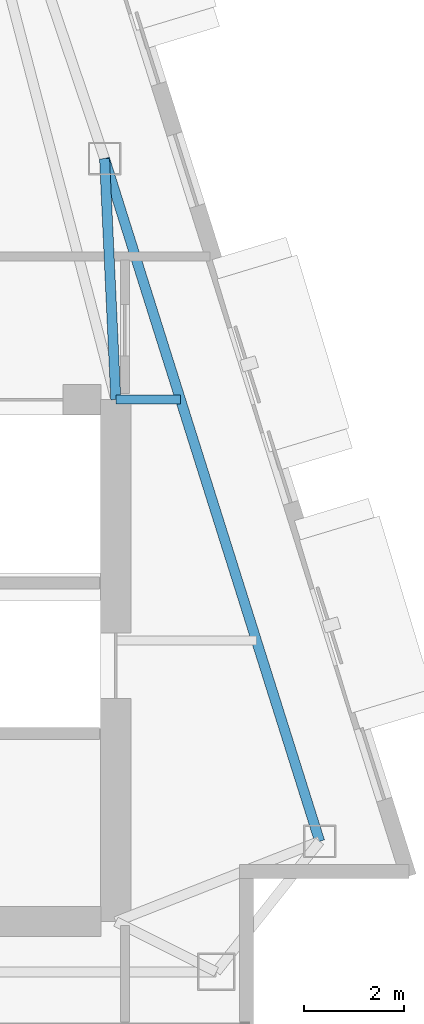
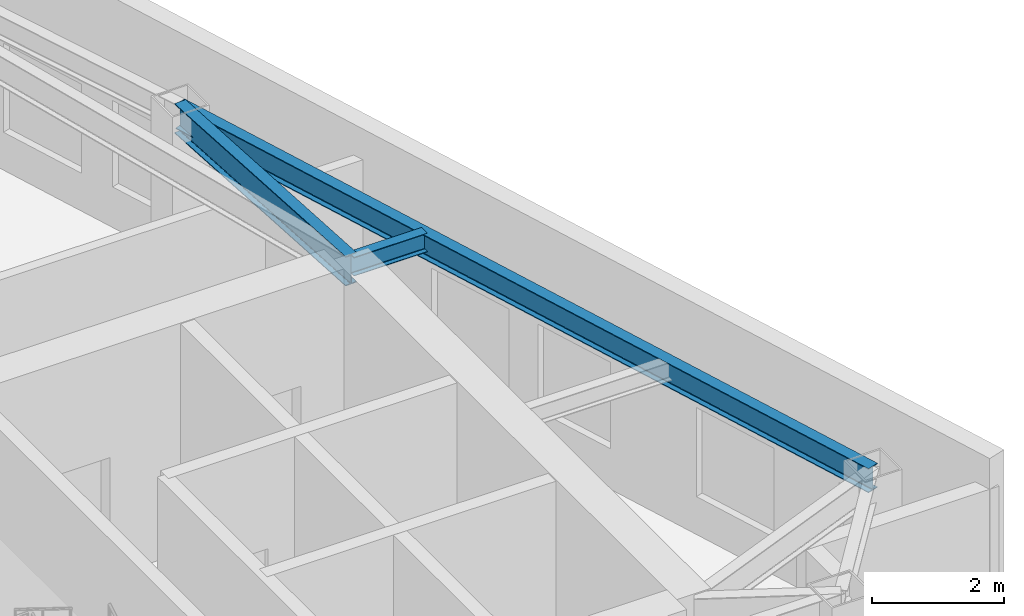
# One storey, part 13 of 25: 3 beams.
"""IFC4 building model written with IfcOpenShell, lengths in metres."""

import ifcopenshell
import ifcopenshell.guid

model = None  # the IFC model being written
_history = None  # IfcOwnerHistory: only IFC2X3 demands one
_inside = {}  # id of a spatial element -> (the spatial element, [elements in it])
_under = {}  # id of a project, library or spatial element -> (it, [spatial elements below it])
_declared = {}  # id of a project -> (the project, [libraries it declares])
_typed = {}  # id of a type object -> (the type object, [elements of that type])
_made_of = {}  # id of a material, layer set ... -> (it, [elements and type objects made of it])


def new_model(schema):
    """Start an empty IFC model of exactly this schema.

    Asked for "IFC4X3", IfcOpenShell would pick the latest addendum, in which some entities
    have other attributes; the version numbers below select the first issue.
    IFC2X3 requires an IfcOwnerHistory on every rooted entity: one is made here for all.
    """
    global model, _history
    if schema == "IFC4X3":
        model = ifcopenshell.file(schema_version=(4, 3, 0, 0))
    else:
        model = ifcopenshell.file(schema=schema)
    _inside.clear()
    _under.clear()
    _declared.clear()
    _typed.clear()
    _made_of.clear()
    _history = None
    if model.schema == "IFC2X3":
        org = make("IfcOrganization", Name="unknown")
        user = make(
            "IfcPersonAndOrganization",
            ThePerson=make("IfcPerson", FamilyName="unknown"),
            TheOrganization=org,
        )
        app = make(
            "IfcApplication",
            ApplicationDeveloper=org,
            Version="unknown",
            ApplicationFullName="unknown",
            ApplicationIdentifier="unknown",
        )
        _history = make(
            "IfcOwnerHistory",
            OwningUser=user,
            OwningApplication=app,
            ChangeAction="ADDED",
            CreationDate=0,
        )
    return model


def make(cls, **values):
    """One entity of the class cls with the attributes given. An attribute that is None is left unset."""
    return model.create_entity(
        cls, **{name: value for name, value in values.items() if value is not None}
    )


def rooted(cls, **values):
    """An entity with a GlobalId (a new one), such as an element, a storey or a relation."""
    return make(cls, GlobalId=ifcopenshell.guid.new(), OwnerHistory=_history, **values)


def si_unit(unit_type, name, prefix=None):
    """IfcSIUnit, for example si_unit("LENGTHUNIT", "METRE", prefix="MILLI")."""
    return make("IfcSIUnit", UnitType=unit_type, Prefix=prefix, Name=name)


def assignment(units):
    """IfcUnitAssignment: the units of a project."""
    return None if units is None else make("IfcUnitAssignment", Units=units)


def point(xyz):
    """IfcCartesianPoint."""
    return None if xyz is None else make("IfcCartesianPoint", Coordinates=xyz)


def direction(xyz):
    """IfcDirection."""
    return None if xyz is None else make("IfcDirection", DirectionRatios=xyz)


def frame(location, z_axis=None, x_axis=None):
    """IfcAxis2Placement3D, a coordinate frame: its origin and axes. An axis left out is left unset."""
    return make(
        "IfcAxis2Placement3D",
        Location=point(location),
        Axis=direction(z_axis),
        RefDirection=direction(x_axis),
    )


def frame_2d(location, x_axis=None):
    """IfcAxis2Placement2D, a coordinate frame in the plane: its origin and x axis."""
    return make(
        "IfcAxis2Placement2D", Location=point(location), RefDirection=direction(x_axis)
    )


def origin():
    """The frame at (0, 0, 0) with its axes left unset."""
    return frame((0.0, 0.0, 0.0))


def origin_2d():
    """The frame at (0, 0) in the plane with its x axis left unset."""
    return frame_2d((0.0, 0.0))


def place(relative_to, where):
    """IfcLocalPlacement: puts the frame where relative to a parent placement (None: the world)."""
    return make(
        "IfcLocalPlacement", PlacementRelTo=relative_to, RelativePlacement=where
    )


def context(
    kind, dimensions, precision=None, world=None, true_north=None, identifier=None
):
    """IfcGeometricRepresentationContext, for example the 3D "Model" context."""
    return make(
        "IfcGeometricRepresentationContext",
        ContextIdentifier=identifier,
        ContextType=kind,
        CoordinateSpaceDimension=dimensions,
        Precision=precision,
        WorldCoordinateSystem=world,
        TrueNorth=true_north,
    )


def subcontext(parent, identifier, kind, view, scale=None):
    """IfcGeometricRepresentationSubContext, for example "Body" below "Model"."""
    return make(
        "IfcGeometricRepresentationSubContext",
        ContextIdentifier=identifier,
        ContextType=kind,
        ParentContext=parent,
        TargetScale=scale,
        TargetView=view,
    )


def project(units=None, contexts=None):
    """IfcProject with its units and contexts."""
    return rooted(
        "IfcProject",
        Name="project",
        RepresentationContexts=contexts,
        UnitsInContext=assignment(units),
    )


def spatial(cls, under=None, at=None, **own):
    """A site, building, storey or space (cls), placed at a placement, below another one or the project."""
    s = rooted(cls, ObjectPlacement=at, **own)
    if under is not None:
        _under.setdefault(under.id(), (under, []))[1].append(s)
    return s


def profile(cls, at=None, kind="AREA", **sizes):
    """A parametric profile (cls). Its sizes go by their IFC names, for example OverallWidth=200.0."""
    return make(cls, ProfileType=kind, Position=at, **sizes)


def i_section(**sizes):
    """IfcIShapeProfileDef."""
    return profile("IfcIShapeProfileDef", **sizes)


def extrude(swept, where, along, depth):
    """IfcExtrudedAreaSolid: the profile swept, set in the frame where, extruded along a direction by depth."""
    return make(
        "IfcExtrudedAreaSolid",
        SweptArea=swept,
        Position=where,
        ExtrudedDirection=direction(along),
        Depth=depth,
    )


def shape(context_of_items, identifier, shape_type, items):
    """IfcShapeRepresentation: the items that make up one representation, for example the "Body"."""
    return make(
        "IfcShapeRepresentation",
        ContextOfItems=context_of_items,
        RepresentationIdentifier=identifier,
        RepresentationType=shape_type,
        Items=items,
    )


def material(Name=None, Category=None):
    """IfcMaterial."""
    return make("IfcMaterial", Name=Name, Category=Category)


def material_profile(
    of_material, cross_section, Name=None, Category=None, Priority=None
):
    """IfcMaterialProfile: a cross section and its material."""
    return make(
        "IfcMaterialProfile",
        Name=Name,
        Material=of_material,
        Profile=cross_section,
        Priority=Priority,
        Category=Category,
    )


def profile_set(profiles, Name=None, composite=None):
    """IfcMaterialProfileSet."""
    return make(
        "IfcMaterialProfileSet",
        Name=Name,
        MaterialProfiles=profiles,
        CompositeProfile=composite,
    )


def made_of(thing, what):
    """Note that an element or type object is made of a material, layer set ...; save() writes the relation."""
    if what is not None:
        _made_of.setdefault(what.id(), (what, []))[1].append(thing)
    return thing


def type_object(cls, material=None, **own):
    """A type object (cls), such as IfcWallType, which elements share."""
    return made_of(rooted(cls, **own), material)


def element(
    cls,
    number,
    at=None,
    inside=None,
    cuts=None,
    type_object=None,
    material=None,
    context=None,
    identifier="Body",
    shape_type=None,
    held_by="IfcProductDefinitionShape",
    body=None,
    shapes=None,
    **own,
):
    """One element of the class cls, such as IfcWall. Its Tag is "e" and its number.

    at: its placement. inside: the storey or other place that contains it. cuts: it is an
    opening in that element (IfcRelVoidsElement). A single representation is given by context,
    identifier, shape_type and body (its items); several are given by shapes. held_by: the class
    of the entity that holds the representations. save() writes the other relations.
    """
    e = rooted(cls, Tag="e%d" % number, ObjectPlacement=at, **own)
    if body is not None:
        shapes = [shape(context, identifier, shape_type, body)]
    if shapes is not None:
        e.Representation = make(held_by, Representations=shapes)
    if inside is not None:
        _inside.setdefault(inside.id(), (inside, []))[1].append(e)
    if cuts is not None:
        rooted(
            "IfcRelVoidsElement", RelatingBuildingElement=cuts, RelatedOpeningElement=e
        )
    if type_object is not None:
        _typed.setdefault(type_object.id(), (type_object, []))[1].append(e)
    return made_of(e, material)


def aggregate(whole, parts):
    """IfcRelAggregates: a whole, such as a stair, and the parts it consists of."""
    return rooted("IfcRelAggregates", RelatingObject=whole, RelatedObjects=parts)


def save(model, path):
    """Write the relations noted so far, then the file.

    IfcRelAggregates (storeys below a building ...), IfcRelContainedInSpatialStructure (elements
    in a storey), IfcRelDefinesByType, IfcRelAssociatesMaterial and IfcRelDeclares: one each for
    every whole, place, type object, material and project.
    """
    for whole, parts in _under.values():
        aggregate(whole, parts)
    for where, things in _inside.values():
        rooted(
            "IfcRelContainedInSpatialStructure",
            RelatedElements=things,
            RelatingStructure=where,
        )
    for kind, things in _typed.values():
        rooted("IfcRelDefinesByType", RelatedObjects=things, RelatingType=kind)
    for what, things in _made_of.values():
        rooted("IfcRelAssociatesMaterial", RelatedObjects=things, RelatingMaterial=what)
    for by, libraries in _declared.values():
        rooted("IfcRelDeclares", RelatingContext=by, RelatedDefinitions=libraries)
    model.write(path)


model = new_model("IFC4")

# Units and contexts
model_context = context("Model", 3, precision=1e-05, world=origin(), true_north=direction((0.0, 1.0)))
body_context = subcontext(model_context, "Body", "Model", "MODEL_VIEW")
ifc_project = project(units=[si_unit("LENGTHUNIT", "METRE"), si_unit("AREAUNIT", "SQUARE_METRE"), si_unit("VOLUMEUNIT", "CUBIC_METRE"), si_unit("PLANEANGLEUNIT", "RADIAN"), si_unit("MASSUNIT", "GRAM", prefix="KILO")], contexts=[model_context])

# Site, building, storey
site_placement = place(None, origin())
site = spatial("IfcSite", under=ifc_project, at=site_placement, CompositionType="ELEMENT")
building_placement = place(site_placement, origin())
building = spatial("IfcBuilding", under=site, at=building_placement, Name="Calvorn Quay Hotel", CompositionType="ELEMENT")
storey_placement = place(building_placement, frame((0.0, 0.0, 311.5)))
storey = spatial("IfcBuildingStorey", under=building, at=storey_placement, Name="L77", CompositionType="ELEMENT", Elevation=311.5)

# Beams
ifc_material_1 = material(Name="Steel Q355B", Category="steel")
ifc_material_profile_1 = material_profile(ifc_material_1, i_section(OverallWidth=0.199951171875, OverallDepth=0.550048828125, WebThickness=0.010009765625, FlangeThickness=0.01611328125, FilletRadius=0.01806640625, at=origin_2d()), Name="HN550x200x10x16")
ifc_profile_set_1 = profile_set([ifc_material_profile_1], Name="Steel Q355B")
beam_type_1 = type_object("IfcBeamType", Name="BM-GIRD-UPP", PredefinedType="BEAM", material=ifc_profile_set_1)
beam_1_placement = place(storey_placement, frame((32.39990234375, 15.0, 3.965087890625), z_axis=(-0.046589910492, 0.998914100531, 0.0), x_axis=(-0.998914100531, -0.046589910492, 0.0)))
element("IfcBeam", 1, at=beam_1_placement, inside=storey, type_object=beam_type_1, Name="Beam BG-L77-E2", PredefinedType="BEAM", context=body_context, shape_type="SweptSolid", body=[
    extrude(i_section(OverallWidth=0.199951171875, OverallDepth=0.550048828125, WebThickness=0.010009765625, FlangeThickness=0.01611328125, FilletRadius=0.01806640625, at=origin_2d()), origin(), (0.0, 0.0, 1.0), 4.80517578125),
])
ifc_material_2 = material(Name="Steel Q355B", Category="steel")
ifc_material_profile_2 = material_profile(ifc_material_2, i_section(OverallWidth=0.175048828125, OverallDepth=0.35009765625, WebThickness=0.007080078125, FlangeThickness=0.010986328125, FilletRadius=0.013916015625, at=origin_2d()), Name="HN350x175x7x11")
ifc_profile_set_2 = profile_set([ifc_material_profile_2], Name="Steel Q355B")
beam_type_2 = type_object("IfcBeamType", Name="BM-JOIST-SEC", PredefinedType="JOIST", material=ifc_profile_set_2)
beam_2_placement = place(storey_placement, frame((32.39990234375, 15.0, 4.06494140625), z_axis=(1.0, 0.0, 0.0), x_axis=(0.0, 1.0, 0.0)))
element("IfcBeam", 2, at=beam_2_placement, inside=storey, type_object=beam_type_2, Name="Beam BJ-L77-E2", PredefinedType="JOIST", context=body_context, shape_type="SweptSolid", body=[
    extrude(i_section(OverallWidth=0.175048828125, OverallDepth=0.35009765625, WebThickness=0.007080078125, FlangeThickness=0.010986328125, FilletRadius=0.013916015625, at=origin_2d()), origin(), (0.0, 0.0, 1.0), 1.2880859375),
])
ifc_material_3 = material(Name="Steel Q355B", Category="steel")
ifc_material_profile_3 = material_profile(ifc_material_3, i_section(OverallWidth=0.199951171875, OverallDepth=0.449951171875, WebThickness=0.009033203125, FlangeThickness=0.013916015625, FilletRadius=0.01611328125, at=origin_2d()), Name="HN450x200x9x14")
ifc_profile_set_3 = profile_set([ifc_material_profile_3], Name="Steel Q355B")
beam_type_3 = type_object("IfcBeamType", Name="BM-SPANDREL-Z3", PredefinedType="SPANDREL", material=ifc_profile_set_3)
beam_3_placement = place(storey_placement, frame((36.4609375, 6.199951171875, 4.014892578125), z_axis=(-0.300502802767, 0.953780931624, 0.0), x_axis=(-0.953780931624, -0.300502802767, 0.0)))
element("IfcBeam", 3, at=beam_3_placement, inside=storey, type_object=beam_type_3, Name="Beam BSP-L77-E1", PredefinedType="SPANDREL", context=body_context, shape_type="SweptSolid", body=[
    extrude(i_section(OverallWidth=0.199951171875, OverallDepth=0.449951171875, WebThickness=0.009033203125, FlangeThickness=0.013916015625, FilletRadius=0.01611328125, at=origin_2d()), origin(), (0.0, 0.0, 1.0), 14.259033203125),
])

save(model, "model.ifc")
